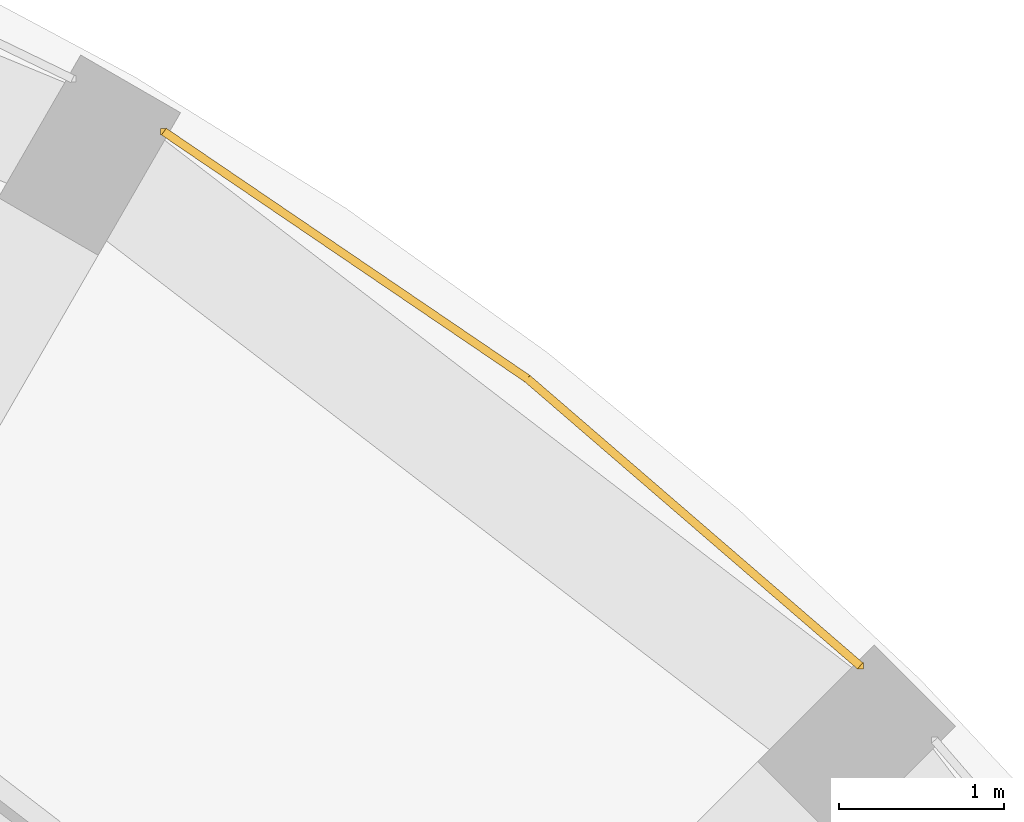
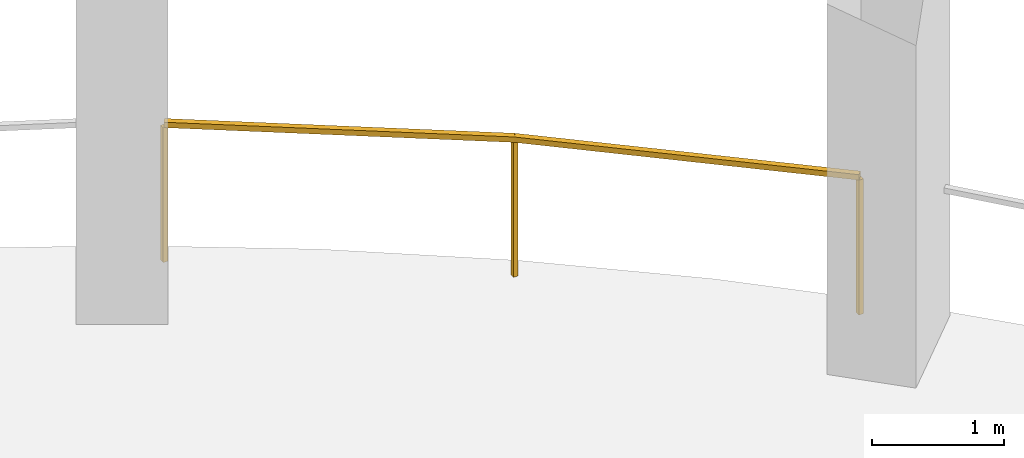
# One storey, part 9 of 9: 1 railing.
"""IFC4 building model written with IfcOpenShell, lengths in metres."""

from ifc_helpers import new_model, si_unit, direction, frame, origin, origin_2d, place, context, subcontext, project, spatial, rectangle, extrude, material, type_object, element, save


model = new_model("IFC4")

# Units and contexts
model_context = context("Model", 3, precision=1e-05, world=origin(), true_north=direction((0.0, 1.0)))
body_context = subcontext(model_context, "Body", "Model", "MODEL_VIEW")
ifc_project = project(units=[si_unit("LENGTHUNIT", "METRE"), si_unit("AREAUNIT", "SQUARE_METRE"), si_unit("VOLUMEUNIT", "CUBIC_METRE"), si_unit("PLANEANGLEUNIT", "RADIAN"), si_unit("MASSUNIT", "GRAM", prefix="KILO")], contexts=[model_context])

# Site, building, storey
site_placement = place(None, origin())
site = spatial("IfcSite", under=ifc_project, at=site_placement, CompositionType="ELEMENT")
building_placement = place(site_placement, origin())
building = spatial("IfcBuilding", under=site, at=building_placement, Name="Torre Triforio", CompositionType="ELEMENT")
storey_placement = place(building_placement, frame((0.0, 0.0, 157.89990234375)))
storey = spatial("IfcBuildingStorey", under=building, at=storey_placement, Name="L35", CompositionType="ELEMENT", Elevation=157.89990234375)

# Railing
ifc_material = material(Name="Stainless steel AISI 316", Category="steel")
railing_type = type_object("IfcRailingType", Name="Loggia guard 1300", PredefinedType="GUARDRAIL", material=ifc_material)
railing_placement = place(storey_placement, frame((15.93115234375, 16.3837890625, 0.0)))
element("IfcRailing", 1, at=railing_placement, inside=storey, type_object=railing_type, Name="Loggia guard L35 bay 04", PredefinedType="GUARDRAIL", context=body_context, shape_type="SweptSolid", body=[
    extrude(rectangle(XDim=0.050048828125, YDim=0.050048828125, at=origin_2d()), frame((0.0, 0.0, 1.27490234375), z_axis=(-0.757012150376, 0.653400799038, 0.0), x_axis=(-0.653400799038, -0.757012150376, 0.0)), (0.0, 0.0, 1.0), 2.669677734375),
    extrude(rectangle(XDim=0.050048828125, YDim=0.050048828125, at=origin_2d()), frame((-2.02099609375, 1.744384765625, 1.27490234375), z_axis=(-0.827093160774, 0.562064856935, 0.0), x_axis=(-0.562064856935, -0.827093160774, 0.0)), (0.0, 0.0, 1.0), 2.669677734375),
    extrude(rectangle(XDim=0.0400390625, YDim=0.0400390625, at=origin_2d()), origin(), (0.0, 0.0, 1.0), 1.25),
    extrude(rectangle(XDim=0.0400390625, YDim=0.0400390625, at=origin_2d()), frame((-2.02099609375, 1.744384765625, 0.0)), (0.0, 0.0, 1.0), 1.25),
    extrude(rectangle(XDim=0.0400390625, YDim=0.0400390625, at=origin_2d()), frame((-4.22900390625, 3.244873046875, 0.0)), (0.0, 0.0, 1.0), 1.25),
])

save(model, "model.ifc")
